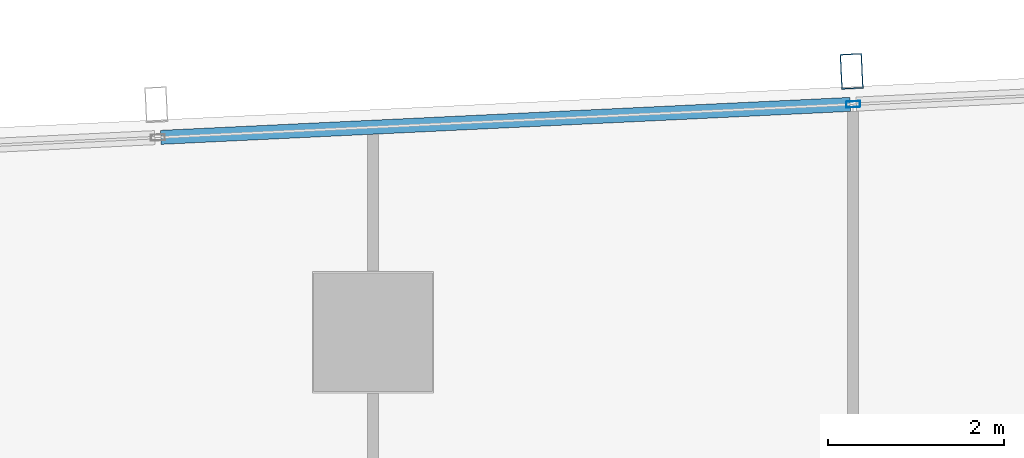
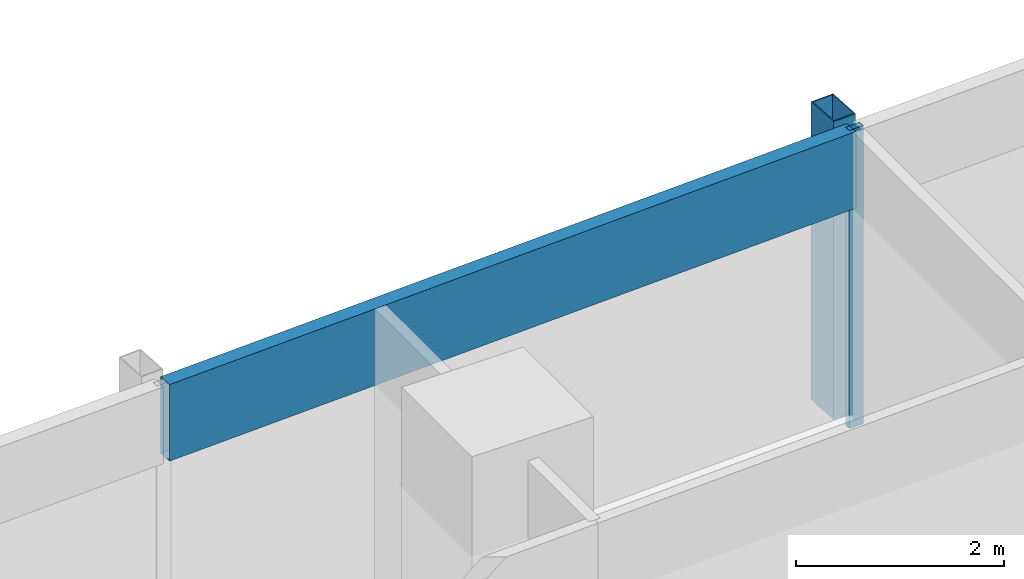
# One storey, part 16 of 33: 3 members, 1 element without a shape of its own.
"""IFC4 building model written with IfcOpenShell, lengths in metres."""

from ifc_helpers import new_model, si_unit, direction, frame, origin, origin_2d, place, context, subcontext, project, spatial, hollow_rectangle, extrude, material, material_profile, profile_set, type_object, element, aggregate, save


model = new_model("IFC4")

# Units and contexts
model_context = context("Model", 3, precision=1e-05, world=origin(), true_north=direction((0.0, 1.0)))
body_context = subcontext(model_context, "Body", "Model", "MODEL_VIEW")
ifc_project = project(units=[si_unit("LENGTHUNIT", "METRE"), si_unit("AREAUNIT", "SQUARE_METRE"), si_unit("VOLUMEUNIT", "CUBIC_METRE"), si_unit("PLANEANGLEUNIT", "RADIAN"), si_unit("MASSUNIT", "GRAM", prefix="KILO")], contexts=[model_context])

# Site, building, storey
site_placement = place(None, origin())
site = spatial("IfcSite", under=ifc_project, at=site_placement, CompositionType="ELEMENT")
building_placement = place(site_placement, origin())
building = spatial("IfcBuilding", under=site, at=building_placement, Name="Rekha Terrace Tower", CompositionType="ELEMENT")
storey_placement = place(building_placement, frame((0.0, 0.0, 206.449951171875)))
storey = spatial("IfcBuildingStorey", under=building, at=storey_placement, Name="L52", CompositionType="ELEMENT", Elevation=206.449951171875)

# Curtain wall, members
ifc_material_1 = material(Name="Aluminium framing", Category="aluminium")
curtain_wall_type = type_object("IfcCurtainWallType", Name="CW3 north unitised glazing", PredefinedType="USERDEFINED", material=ifc_material_1)
curtain_wall_placement = place(storey_placement, origin())
curtain_wall = element("IfcCurtainWall", 1, at=curtain_wall_placement, inside=storey, type_object=curtain_wall_type, Name="CW3 unitised curtain wall", ObjectType="UNITISED CURTAIN WALL", PredefinedType="USERDEFINED")
ifc_material_2 = material(Name="Steel S355 with fluorocarbon finish", Category="steel")
ifc_material_profile_1 = material_profile(ifc_material_2, hollow_rectangle(XDim=0.25, YDim=0.39990234375, WallThickness=0.012451171875, at=origin_2d()), Name="RHS400x250x12.5")
ifc_profile_set_1 = profile_set([ifc_material_profile_1], Name="Steel S355 with fluorocarbon finish")
member_type_1 = type_object("IfcMemberType", Name="BL1 facade blade RHS 400 x 250", PredefinedType="USERDEFINED", material=ifc_profile_set_1)
member_1_placement = place(storey_placement, frame((30.643310546875, 61.767578125, 0.0), z_axis=(0.0, 0.0, 1.0), x_axis=(-0.998858913274, -0.04775846913, 0.0)))
member_1 = element("IfcMember", 2, at=member_1_placement, type_object=member_type_1, Name="Facade blade", ObjectType="FACADE BLADE", PredefinedType="USERDEFINED", context=body_context, shape_type="SweptSolid", body=[
    extrude(hollow_rectangle(XDim=0.25, YDim=0.39990234375, WallThickness=0.012451171875, at=origin_2d()), origin(), (0.0, 0.0, 1.0), 3.5),
])
ifc_material_3 = material(Name="Aluminium mullion section", Category="aluminium")
ifc_material_profile_2 = material_profile(ifc_material_3, hollow_rectangle(XDim=0.070068359375, YDim=0.159912109375, WallThickness=0.00390625, at=origin_2d()), Name="AL RHS 70x160")
ifc_profile_set_2 = profile_set([ifc_material_profile_2], Name="Aluminium mullion section")
member_type_2 = type_object("IfcMemberType", Name="CW3 mullion RHS 70 x 160", PredefinedType="MULLION", material=ifc_profile_set_2)
member_2_placement = place(storey_placement, frame((30.6611328125, 61.39306640625, 0.0), z_axis=(0.0, 0.0, 1.0), x_axis=(0.047758616983, -0.998858906204, 0.0)))
member_2 = element("IfcMember", 3, at=member_2_placement, type_object=member_type_2, Name="CW3 mullion 3", PredefinedType="MULLION", context=body_context, shape_type="SweptSolid", body=[
    extrude(hollow_rectangle(XDim=0.070068359375, YDim=0.159912109375, WallThickness=0.00390625, at=origin_2d()), origin(), (0.0, 0.0, 1.0), 3.5),
])
ifc_material_4 = material(Name="Insulated aluminium spandrel box", Category="aluminium")
ifc_material_profile_3 = material_profile(ifc_material_4, hollow_rectangle(XDim=0.159912109375, YDim=0.89990234375, WallThickness=0.0029296875, at=origin_2d()), Name="AL SPANDREL BOX 160x900")
ifc_profile_set_3 = profile_set([ifc_material_profile_3], Name="Insulated aluminium spandrel box")
member_type_3 = type_object("IfcMemberType", Name="CW3 spandrel transom 160 x 900", PredefinedType="USERDEFINED", material=ifc_profile_set_3)
member_3_placement = place(storey_placement, frame((30.626220703125, 61.391357421875, 3.050048828125), z_axis=(-0.998859323292, -0.047749892907, 0.0), x_axis=(0.047749892907, -0.998859323292, 0.0)))
member_3 = element("IfcMember", 4, at=member_3_placement, type_object=member_type_3, Name="CW3 spandrel transom 3", ObjectType="TRANSOM", PredefinedType="USERDEFINED", context=body_context, shape_type="SweptSolid", body=[
    extrude(hollow_rectangle(XDim=0.159912109375, YDim=0.89990234375, WallThickness=0.0029296875, at=origin_2d()), origin(), (0.0, 0.0, 1.0), 7.848388671875),
])
aggregate(curtain_wall, [member_2, member_3, member_1])

save(model, "model.ifc")
